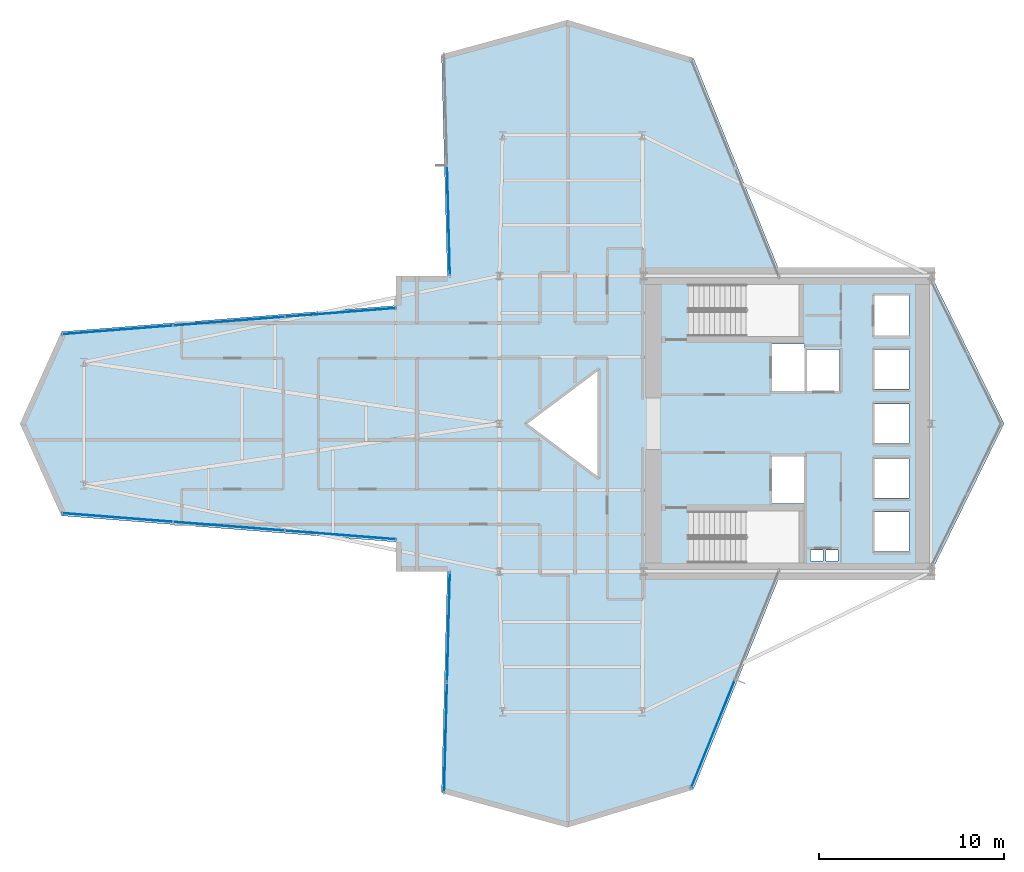
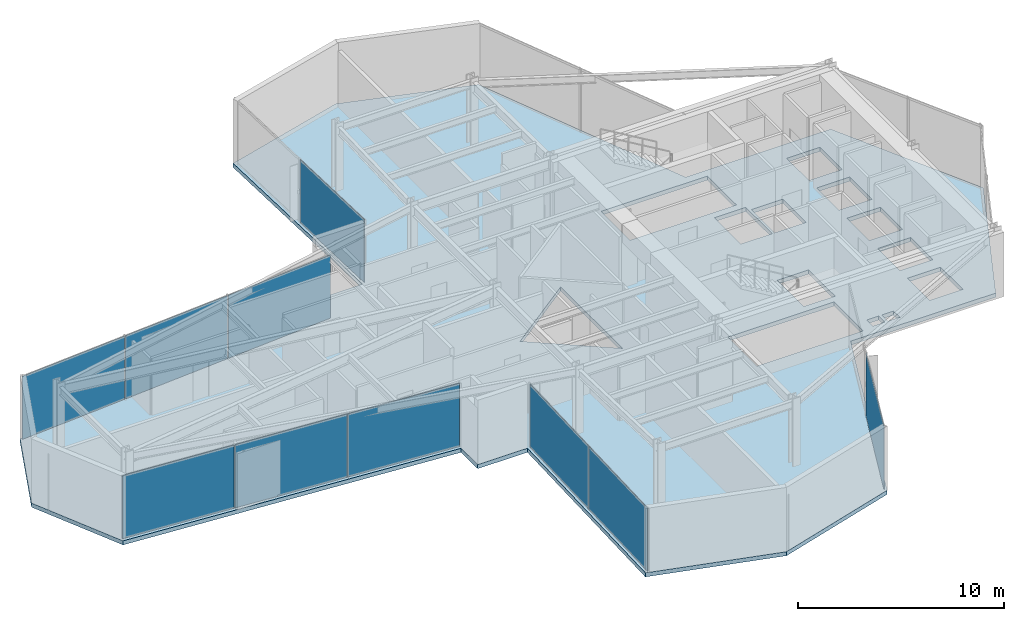
# One storey, part 24 of 29: 10 plates, 1 slab, 5 elements without a shape of their own.
"""IFC4 building model written with IfcOpenShell, lengths in metres."""

from ifc_helpers import new_model, si_unit, direction, frame, origin, origin_2d, place, context, subcontext, project, spatial, polyline, rectangle, outline, extrude, material, layer, layer_set, type_object, element, aggregate, save


model = new_model("IFC4")

# Units and contexts
model_context = context("Model", 3, precision=1e-05, world=origin(), true_north=direction((0.0, 1.0)))
body_context = subcontext(model_context, "Body", "Model", "MODEL_VIEW")
ifc_project = project(units=[si_unit("LENGTHUNIT", "METRE"), si_unit("AREAUNIT", "SQUARE_METRE"), si_unit("VOLUMEUNIT", "CUBIC_METRE"), si_unit("PLANEANGLEUNIT", "RADIAN"), si_unit("MASSUNIT", "GRAM", prefix="KILO")], contexts=[model_context])

# Site, building, storey
site_placement = place(None, origin())
site = spatial("IfcSite", under=ifc_project, at=site_placement, CompositionType="ELEMENT")
building_placement = place(site_placement, origin())
building = spatial("IfcBuilding", under=site, at=building_placement, Name="Veymaron Broadcast Tower", CompositionType="ELEMENT")
storey_placement = place(building_placement, frame((0.0, 0.0, 62.10009765625)))
storey = spatial("IfcBuildingStorey", under=building, at=storey_placement, Name="L13", CompositionType="ELEMENT", Elevation=62.10009765625)

# Curtain wall, plate
ifc_material_1 = material(Name="Anodised aluminium AA 6063-T6 and laminated low-E dark glass", Category="aluminium")
ifc_layer_1 = layer(ifc_material_1, 0.179931640625)
ifc_layer_set_1 = layer_set([ifc_layer_1], Name="Anodised aluminium AA 6063-T6 and laminated low-E dark glass")
curtain_wall_type = type_object("IfcCurtainWallType", Name="CW-SYS-02", PredefinedType="NOTDEFINED", material=ifc_layer_set_1)
curtain_wall_1_placement = place(storey_placement, origin())
curtain_wall_1 = element("IfcCurtainWall", 1, at=curtain_wall_1_placement, inside=storey, type_object=curtain_wall_type, Name="L13 dark-glass curtain wall CW-L13-E8-1", PredefinedType="NOTDEFINED")
ifc_material_2 = material(Name="Double-silver solar-control dark glass IGU 32 mm", Category="glass")
ifc_layer_2 = layer(ifc_material_2, 0.031982421875)
ifc_layer_set_2 = layer_set([ifc_layer_2], Name="Double-silver solar-control dark glass IGU 32 mm")
plate_type = type_object("IfcPlateType", Name="CW-PNL-02", PredefinedType="CURTAIN_PANEL", material=ifc_layer_set_2)
plate_1_placement = place(storey_placement, frame((28.4482421875, 34.9990234375, 0.039794921875), z_axis=(0.0, 0.0, 1.0), x_axis=(0.026299079294, -0.999654119397, 0.0)))
plate_1 = element("IfcPlate", 2, at=plate_1_placement, type_object=plate_type, Name="CW-L13-E8-1 unitised curtain panel 1", PredefinedType="CURTAIN_PANEL", context=body_context, shape_type="SweptSolid", body=[
    extrude(rectangle(XDim=5.9326171875, YDim=0.031982421875, at=origin_2d()), origin(), (0.0, 0.0, 1.0), 3.72998046875),
])
aggregate(curtain_wall_1, [plate_1])

# Curtain wall, plates
curtain_wall_2_placement = place(storey_placement, origin())
curtain_wall_2 = element("IfcCurtainWall", 3, at=curtain_wall_2_placement, inside=storey, type_object=curtain_wall_type, Name="L13 dark-glass curtain wall CW-L13-E11-1", PredefinedType="NOTDEFINED")
plate_2_placement = place(storey_placement, frame((22.600830078125, 30.024658203125, 0.039794921875), z_axis=(0.0, 0.0, 1.0), x_axis=(-0.996951473071, -0.078024101027, 0.0)))
plate_2 = element("IfcPlate", 4, at=plate_2_placement, type_object=plate_type, Name="CW-L13-E11-1 unitised curtain panel 0", PredefinedType="CURTAIN_PANEL", context=body_context, shape_type="SweptSolid", body=[
    extrude(rectangle(XDim=5.994384765625, YDim=0.031982421875, at=origin_2d()), origin(), (0.0, 0.0, 1.0), 3.72998046875),
])
plate_3_placement = place(storey_placement, frame((16.56494140625, 29.55224609375, 0.039794921875), z_axis=(0.0, 0.0, 1.0), x_axis=(-0.996951473071, -0.078024101027, 0.0)))
plate_3 = element("IfcPlate", 5, at=plate_3_placement, type_object=plate_type, Name="CW-L13-E11-1 unitised curtain panel 1", PredefinedType="CURTAIN_PANEL", context=body_context, shape_type="SweptSolid", body=[
    extrude(rectangle(XDim=5.994384765625, YDim=0.031982421875, at=origin_2d()), origin(), (0.0, 0.0, 1.0), 3.72998046875),
])
plate_4_placement = place(storey_placement, frame((10.52880859375, 29.079833984375, 0.039794921875), z_axis=(0.0, 0.0, 1.0), x_axis=(-0.996951473071, -0.078024101027, 0.0)))
plate_4 = element("IfcPlate", 6, at=plate_4_placement, type_object=plate_type, Name="CW-L13-E11-1 unitised curtain panel 2", PredefinedType="CURTAIN_PANEL", context=body_context, shape_type="SweptSolid", body=[
    extrude(rectangle(XDim=5.994384765625, YDim=0.031982421875, at=origin_2d()), origin(), (0.0, 0.0, 1.0), 3.72998046875),
])
aggregate(curtain_wall_2, [plate_2, plate_3, plate_4])

curtain_wall_3_placement = place(storey_placement, origin())
curtain_wall_3 = element("IfcCurtainWall", 7, at=curtain_wall_3_placement, inside=storey, type_object=curtain_wall_type, Name="L13 dark-glass curtain wall CW-L13-E14-1", PredefinedType="NOTDEFINED")
plate_5_placement = place(storey_placement, frame((10.52880859375, 18.920166015625, 0.039794921875), z_axis=(0.0, 0.0, 1.0), x_axis=(0.996951473071, -0.078024101027, 0.0)))
plate_5 = element("IfcPlate", 8, at=plate_5_placement, type_object=plate_type, Name="CW-L13-E14-1 unitised curtain panel 0", PredefinedType="CURTAIN_PANEL", context=body_context, shape_type="SweptSolid", body=[
    extrude(rectangle(XDim=5.994384765625, YDim=0.031982421875, at=origin_2d()), origin(), (0.0, 0.0, 1.0), 3.72998046875),
])
plate_6_placement = place(storey_placement, frame((16.56494140625, 18.44775390625, 0.039794921875), z_axis=(0.0, 0.0, 1.0), x_axis=(0.996951473071, -0.078024101027, 0.0)))
plate_6 = element("IfcPlate", 9, at=plate_6_placement, type_object=plate_type, Name="CW-L13-E14-1 unitised curtain panel 1", PredefinedType="CURTAIN_PANEL", context=body_context, shape_type="SweptSolid", body=[
    extrude(rectangle(XDim=5.994384765625, YDim=0.031982421875, at=origin_2d()), origin(), (0.0, 0.0, 1.0), 3.72998046875),
])
plate_7_placement = place(storey_placement, frame((22.600830078125, 17.975341796875, 0.039794921875), z_axis=(0.0, 0.0, 1.0), x_axis=(0.996951473071, -0.078024101027, 0.0)))
plate_7 = element("IfcPlate", 10, at=plate_7_placement, type_object=plate_type, Name="CW-L13-E14-1 unitised curtain panel 2", PredefinedType="CURTAIN_PANEL", context=body_context, shape_type="SweptSolid", body=[
    extrude(rectangle(XDim=5.994384765625, YDim=0.031982421875, at=origin_2d()), origin(), (0.0, 0.0, 1.0), 3.72998046875),
])
aggregate(curtain_wall_3, [plate_5, plate_6, plate_7])

curtain_wall_4_placement = place(storey_placement, origin())
curtain_wall_4 = element("IfcCurtainWall", 11, at=curtain_wall_4_placement, inside=storey, type_object=curtain_wall_type, Name="L13 dark-glass curtain wall CW-L13-E17-1", PredefinedType="NOTDEFINED")
plate_8_placement = place(storey_placement, frame((28.4482421875, 13.0009765625, 0.039794921875), z_axis=(0.0, 0.0, 1.0), x_axis=(-0.026299079294, -0.999654119397, 0.0)))
plate_8 = element("IfcPlate", 12, at=plate_8_placement, type_object=plate_type, Name="CW-L13-E17-1 unitised curtain panel 0", PredefinedType="CURTAIN_PANEL", context=body_context, shape_type="SweptSolid", body=[
    extrude(rectangle(XDim=5.9326171875, YDim=0.031982421875, at=origin_2d()), origin(), (0.0, 0.0, 1.0), 3.72998046875),
])
plate_9_placement = place(storey_placement, frame((28.29052734375, 7.010498046875, 0.039794921875), z_axis=(0.0, 0.0, 1.0), x_axis=(-0.026299079294, -0.999654119397, 0.0)))
plate_9 = element("IfcPlate", 13, at=plate_9_placement, type_object=plate_type, Name="CW-L13-E17-1 unitised curtain panel 1", PredefinedType="CURTAIN_PANEL", context=body_context, shape_type="SweptSolid", body=[
    extrude(rectangle(XDim=5.9326171875, YDim=0.031982421875, at=origin_2d()), origin(), (0.0, 0.0, 1.0), 3.72998046875),
])
aggregate(curtain_wall_4, [plate_8, plate_9])

# Curtain wall, plate
curtain_wall_5_placement = place(storey_placement, origin())
curtain_wall_5 = element("IfcCurtainWall", 14, at=curtain_wall_5_placement, inside=storey, type_object=curtain_wall_type, Name="L13 dark-glass curtain wall CW-L13-E20-1", PredefinedType="NOTDEFINED")
plate_10_placement = place(storey_placement, frame((42.77197265625, 7.20703125, 0.039794921875), z_axis=(0.0, 0.0, 1.0), x_axis=(0.374703685828, 0.927144620772, 0.0)))
plate_10 = element("IfcPlate", 15, at=plate_10_placement, type_object=plate_type, Name="CW-L13-E20-1 unitised curtain panel 0", PredefinedType="CURTAIN_PANEL", context=body_context, shape_type="SweptSolid", body=[
    extrude(rectangle(XDim=6.30029296875, YDim=0.031982421875, at=origin_2d()), origin(), (0.0, 0.0, 1.0), 3.72998046875),
])
aggregate(curtain_wall_5, [plate_10])

# Slab
ifc_material_3 = material(Name="Concrete C40/50", Category="concrete")
ifc_layer_3 = layer(ifc_material_3, 0.239990234375)
ifc_layer_set_3 = layer_set([ifc_layer_3], Name="Concrete C40/50")
slab_type = type_object("IfcSlabType", Name="SLAB-FS6", PredefinedType="FLOOR", material=ifc_layer_set_3)
slab_placement = place(storey_placement, frame((0.0, 0.0, -0.239990234375)))
element("IfcSlab", 16, at=slab_placement, inside=storey, type_object=slab_type, Name="L13 structural floor slab", PredefinedType="FLOOR", context=body_context, shape_type="SweptSolid", body=[
    extrude(outline(polyline([(46.476806640625, 16.0), (54.60009765625, 16.0), (58.527099609375, 24.0), (54.60009765625, 32.0), (46.476806640625, 32.0), (41.710205078125, 43.7939453125), (34.89111328125, 45.85107421875), (28.07177734375, 43.98095703125), (28.386962890625, 32.0), (25.60791015625, 32.0), (25.60791015625, 30.400390625), (7.5, 28.9833984375), (5.256103515625, 24.0), (7.5, 19.0166015625), (25.60791015625, 17.599609375), (25.60791015625, 16.0), (28.386962890625, 16.0), (28.07177734375, 4.01904296875), (34.89111328125, 2.14892578125), (41.710205078125, 4.2060546875), (46.476806640625, 16.0)]), holes=[polyline([(45.969970703125, 28.330078125), (47.72998046875, 28.330078125), (47.72998046875, 25.77001953125), (45.969970703125, 25.77001953125), (45.969970703125, 28.330078125)]), polyline([(45.969970703125, 22.22998046875), (47.72998046875, 22.22998046875), (47.72998046875, 19.669921875), (45.969970703125, 19.669921875), (45.969970703125, 22.22998046875)]), polyline([(47.8701171875, 28.030029296875), (49.6298828125, 28.030029296875), (49.6298828125, 25.77001953125), (47.8701171875, 25.77001953125), (47.8701171875, 28.030029296875)]), polyline([(51.52001953125, 30.929931640625), (53.3798828125, 30.929931640625), (53.3798828125, 28.77001953125), (51.52001953125, 28.77001953125), (51.52001953125, 30.929931640625)]), polyline([(51.52001953125, 28.030029296875), (53.3798828125, 28.030029296875), (53.3798828125, 25.8701171875), (51.52001953125, 25.8701171875), (51.52001953125, 28.030029296875)]), polyline([(51.52001953125, 22.1298828125), (53.3798828125, 22.1298828125), (53.3798828125, 19.969970703125), (51.52001953125, 19.969970703125), (51.52001953125, 22.1298828125)]), polyline([(51.52001953125, 25.080078125), (53.3798828125, 25.080078125), (53.3798828125, 22.919921875), (51.52001953125, 22.919921875), (51.52001953125, 25.080078125)]), polyline([(51.52001953125, 19.22998046875), (53.3798828125, 19.22998046875), (53.3798828125, 17.070068359375), (51.52001953125, 17.070068359375), (51.52001953125, 19.22998046875)]), polyline([(48.050048828125, 17.159912109375), (48.719970703125, 17.159912109375), (48.719970703125, 16.56005859375), (48.050048828125, 16.56005859375), (48.050048828125, 17.159912109375)]), polyline([(48.8798828125, 17.159912109375), (49.550048828125, 17.159912109375), (49.550048828125, 16.56005859375), (48.8798828125, 16.56005859375), (48.8798828125, 17.159912109375)]), polyline([(36.60009765625, 27.0), (36.60009765625, 21.0), (32.60009765625, 24.0), (36.60009765625, 27.0)]), polyline([(41.489990234375, 31.550048828125), (47.43994140625, 31.550048828125), (47.43994140625, 28.72998046875), (41.489990234375, 28.72998046875), (41.489990234375, 31.550048828125)]), polyline([(41.489990234375, 19.27001953125), (47.43994140625, 19.27001953125), (47.43994140625, 16.449951171875), (41.489990234375, 16.449951171875), (41.489990234375, 19.27001953125)])]), origin(), (0.0, 0.0, 1.0), 0.239990234375),
])

save(model, "model.ifc")
